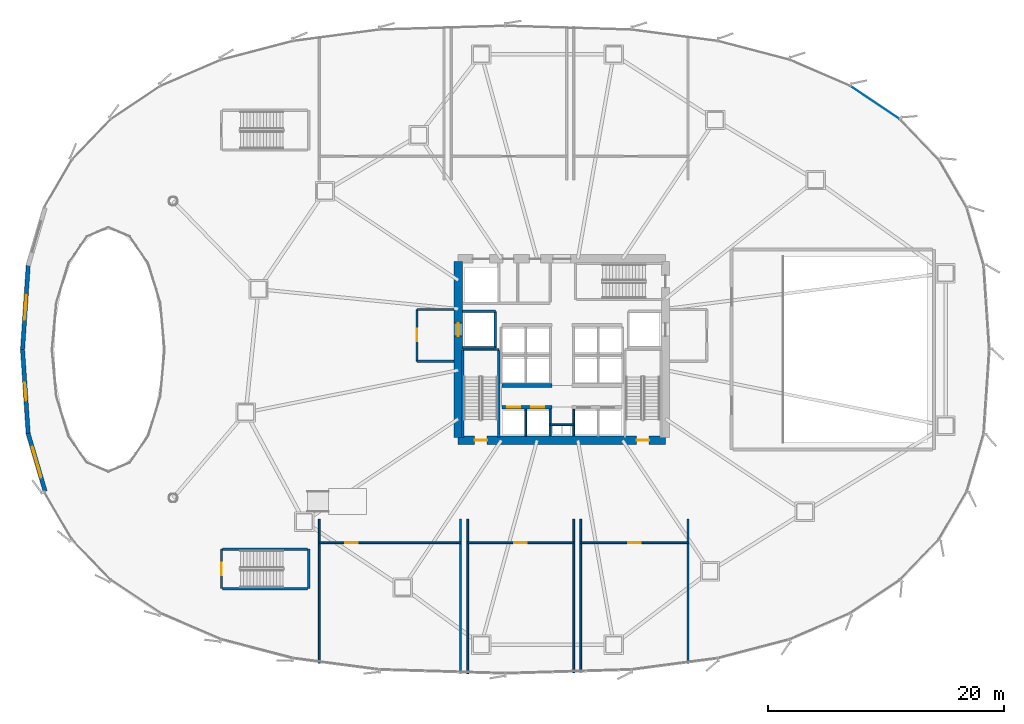
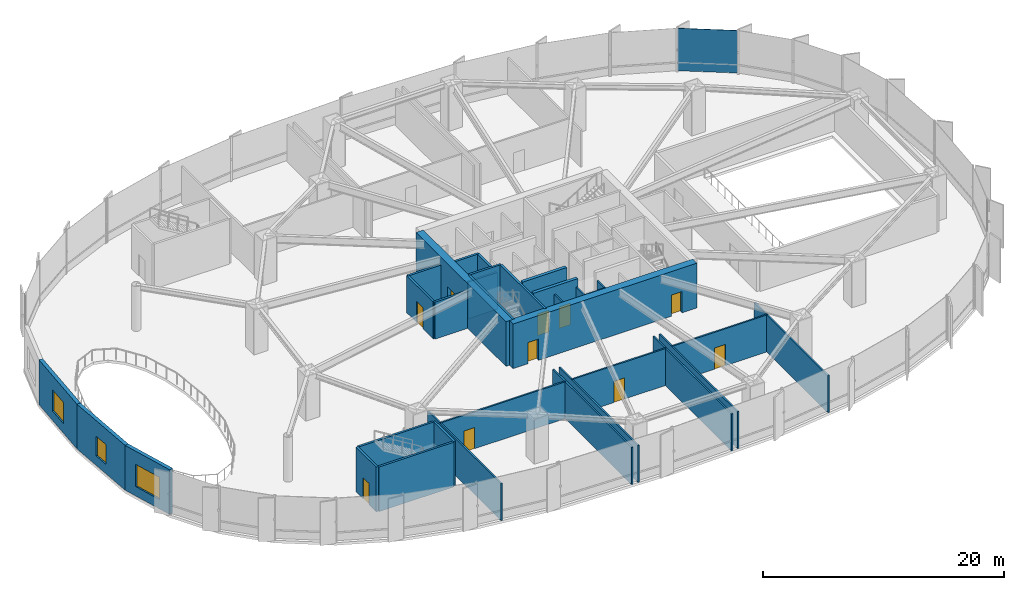
# One storey, part 24 of 34: 33 walls, 10 doors, 3 windows, 1 plate, 13 openings, 1 element without a shape of its own.
"""IFC4 building model written with IfcOpenShell, lengths in metres."""

from ifc_helpers import new_model, si_unit, direction, frame, frame_2d, origin, origin_2d, place, context, subcontext, project, spatial, rectangle, extrude, source, transform, mapped, material, layer, layer_set, type_object, element, fill, aggregate, save


model = new_model("IFC4")

# Units and contexts
model_context = context("Model", 3, precision=1e-05, world=origin(), true_north=direction((0.0, 1.0)))
body_context = subcontext(model_context, "Body", "Model", "MODEL_VIEW")
ifc_project = project(units=[si_unit("LENGTHUNIT", "METRE"), si_unit("AREAUNIT", "SQUARE_METRE"), si_unit("VOLUMEUNIT", "CUBIC_METRE"), si_unit("PLANEANGLEUNIT", "RADIAN"), si_unit("MASSUNIT", "GRAM", prefix="KILO"), si_unit("THERMODYNAMICTEMPERATUREUNIT", "KELVIN")], contexts=[model_context])

# Site, building, storey
site_placement = place(None, origin())
site = spatial("IfcSite", under=ifc_project, at=site_placement, CompositionType="ELEMENT")
building_placement = place(site_placement, origin())
building = spatial("IfcBuilding", under=site, at=building_placement, Name="Kethvar Cultural Tower", CompositionType="ELEMENT")
storey_placement = place(building_placement, frame((0.0, 0.0, 14.800048828125)))
storey = spatial("IfcBuildingStorey", under=building, at=storey_placement, Name="L03", CompositionType="ELEMENT", Elevation=14.800048828125)

# Curtain wall, plate
ifc_material_1 = material(Name="Aluminium 6063-T6", Category="aluminium")
ifc_layer_1 = layer(ifc_material_1, 0.179931640625, Name="Aluminium 6063-T6", Category="aluminium")
ifc_layer_set_1 = layer_set([ifc_layer_1], Name="Aluminium 6063-T6 (180 mm)")
curtain_wall_type = type_object("IfcCurtainWallType", Name="CW-SYS-01-POD", PredefinedType="NOTDEFINED", material=ifc_layer_set_1)
curtain_wall_placement = place(storey_placement, origin())
curtain_wall = element("IfcCurtainWall", 1, at=curtain_wall_placement, inside=storey, type_object=curtain_wall_type, Name="L03 Curtain Wall Run 01", PredefinedType="NOTDEFINED")
ifc_material_2 = material(Name="Insulated Low-E Solar Glass", Category="glass")
ifc_layer_2 = layer(ifc_material_2, 0.035888671875, Name="Insulated Low-E Solar Glass", Category="glass")
ifc_layer_set_2 = layer_set([ifc_layer_2], Name="Insulated Low-E Solar Glass (36 mm)")
plate_type = type_object("IfcPlateType", Name="CW-SYS-01-POD-PNL", PredefinedType="CURTAIN_PANEL", material=ifc_layer_set_2)
shared_shape_1 = source(origin(), body_context, "Body", "SweptSolid", [
    extrude(rectangle(XDim=4.99169921875, YDim=0.035888671875, at=origin_2d()), origin(), (0.0, 0.0, 1.0), 4.31005859375),
])
plate_placement = place(storey_placement, frame((73.372314453125, 48.7568359375, 0.10986328125), z_axis=(0.0, 0.0, 1.0), x_axis=(-0.830809662848, 0.556556649514, 0.0)))
plate = element("IfcPlate", 2, at=plate_placement, type_object=plate_type, Name="CW-L03-R01 Vision Glazing Panel 5", PredefinedType="CURTAIN_PANEL", context=body_context, shape_type="MappedRepresentation", body=[
    mapped(shared_shape_1, transform((0.0, 0.0, 0.0), scale=1.0)),
])
aggregate(curtain_wall, [plate])

# Wall, openings, doors
ifc_material_3 = material(Name="Concrete C60/75", Category="concrete")
ifc_layer_3 = layer(ifc_material_3, 0.699951171875, Name="Concrete C60/75", Category="concrete")
ifc_layer_set_3 = layer_set([ifc_layer_3], Name="Concrete C60/75 (700 mm)")
wall_type_1 = type_object("IfcWallType", Name="WL-CORE-700", PredefinedType="SHEAR", material=ifc_layer_set_3)
wall_1_placement = place(storey_placement, frame((38.0, 20.10009765625, 0.0), z_axis=(0.0, 0.0, 1.0), x_axis=(1.0, 0.0, 0.0)))
wall_1 = element("IfcWall", 3, at=wall_1_placement, inside=storey, type_object=wall_type_1, Name="L03 Core Shear Wall S", PredefinedType="SHEAR", context=body_context, shape_type="SweptSolid", body=[
    extrude(rectangle(XDim=17.60009765625, YDim=0.699951171875, at=frame_2d((8.800048828125, 0.0))), origin(), (0.0, 0.0, 1.0), 4.530029296875),
])
opening_1_placement = place(wall_1_placement, frame((1.39990234375, 0.0, 0.0)))
opening_1 = element("IfcOpeningElement", 4, at=opening_1_placement, cuts=wall_1, Name="Opening D-L03-S1", PredefinedType="OPENING", context=body_context, shape_type="SweptSolid", body=[
    extrude(rectangle(XDim=1.050048828125, YDim=2.14990234375, at=frame_2d((0.52490234375, 1.074951171875))), frame((0.0, 0.35986328125, 0.0), z_axis=(0.0, -1.0, 0.0), x_axis=(1.0, 0.0, 0.0)), (0.0, 0.0, 1.0), 0.719970703125),
])
opening_2_placement = place(wall_1_placement, frame((15.14990234375, 0.0, 0.0)))
opening_2 = element("IfcOpeningElement", 5, at=opening_2_placement, cuts=wall_1, Name="Opening D-L03-ST2", PredefinedType="OPENING", context=body_context, shape_type="SweptSolid", body=[
    extrude(rectangle(XDim=1.050048828125, YDim=2.14990234375, at=frame_2d((0.52490234375, 1.074951171875))), frame((0.0, 0.35986328125, 0.0), z_axis=(0.0, -1.0, 0.0), x_axis=(1.0, 0.0, 0.0)), (0.0, 0.0, 1.0), 0.719970703125),
])
ifc_material_4 = material(Name="Steel S355J2", Category="steel")
door_type_1 = type_object("IfcDoorType", Name="DR-FD60-1050", OperationType="NOTDEFINED", PredefinedType="DOOR", material=ifc_material_4)
shared_shape_2 = source(origin(), body_context, "Body", "SweptSolid", [
    extrude(rectangle(XDim=1.050048828125, YDim=2.14990234375, at=frame_2d((0.52490234375, 1.074951171875))), frame((0.0, 0.02490234375, 0.0), z_axis=(0.0, -1.0, 0.0), x_axis=(1.0, 0.0, 0.0)), (0.0, 0.0, 1.0), 0.050048828125),
])
door_1_placement = place(opening_1_placement, origin())
door_1 = element("IfcDoor", 6, at=door_1_placement, inside=storey, type_object=door_type_1, Name="L03 Exit Stair 1 Door", OperationType="SINGLE_SWING_LEFT", OverallHeight=2.14990234375, OverallWidth=1.050048828125, PredefinedType="DOOR", context=body_context, shape_type="MappedRepresentation", body=[
    mapped(shared_shape_2, transform((0.0, 0.0, 0.0), scale=1.0)),
])
fill(opening_1, door_1)
door_2_placement = place(opening_2_placement, origin())
door_2 = element("IfcDoor", 7, at=door_2_placement, inside=storey, type_object=door_type_1, Name="L03 Exit Stair 2 Door", OperationType="SINGLE_SWING_RIGHT", OverallHeight=2.14990234375, OverallWidth=1.050048828125, PredefinedType="DOOR", context=body_context, shape_type="MappedRepresentation", body=[
    mapped(shared_shape_2, transform((0.0, 0.0, 0.0), scale=1.0)),
])
fill(opening_2, door_2)

# Wall, opening, door
wall_2_placement = place(storey_placement, frame((38.0, 35.260009765625, 0.0), z_axis=(0.0, 0.0, 1.0), x_axis=(0.0, -1.0, 0.0)))
wall_2 = element("IfcWall", 8, at=wall_2_placement, inside=storey, type_object=wall_type_1, Name="L03 Core Shear Wall W", PredefinedType="SHEAR", context=body_context, shape_type="SweptSolid", body=[
    extrude(rectangle(XDim=14.919921875, YDim=0.699951171875, at=frame_2d((7.4599609375, 0.0))), origin(), (0.0, 0.0, 1.0), 4.530029296875),
])
opening_3_placement = place(wall_2_placement, frame((5.2099609375, 0.0, 0.0)))
opening_3 = element("IfcOpeningElement", 9, at=opening_3_placement, cuts=wall_2, Name="Opening LD-1", PredefinedType="OPENING", context=body_context, shape_type="SweptSolid", body=[
    extrude(rectangle(XDim=1.10009765625, YDim=2.199951171875, at=frame_2d((0.550048828125, 1.10009765625))), frame((0.0, 0.35986328125, 0.0), z_axis=(0.0, -1.0, 0.0), x_axis=(1.0, 0.0, 0.0)), (0.0, 0.0, 1.0), 0.719970703125),
])
door_type_2 = type_object("IfcDoorType", Name="DR-LIFT-SLIDE-1100", OperationType="NOTDEFINED", PredefinedType="DOOR", material=ifc_material_4)
shared_shape_3 = source(origin(), body_context, "Body", "SweptSolid", [
    extrude(rectangle(XDim=1.10009765625, YDim=2.199951171875, at=frame_2d((0.550048828125, 1.10009765625))), frame((0.0, 0.02490234375, 0.0), z_axis=(0.0, -1.0, 0.0), x_axis=(1.0, 0.0, 0.0)), (0.0, 0.0, 1.0), 0.050048828125),
])
door_3_placement = place(opening_3_placement, origin())
door_3 = element("IfcDoor", 10, at=door_3_placement, inside=storey, type_object=door_type_2, Name="L03 Firefighting Lift Landing Door FFL-01", OperationType="SLIDING_TO_LEFT", OverallHeight=2.199951171875, OverallWidth=1.10009765625, PredefinedType="DOOR", context=body_context, shape_type="MappedRepresentation", body=[
    mapped(shared_shape_3, transform((0.0, 0.0, 0.0), scale=1.0)),
])
fill(opening_3, door_3)

# Wall, opening, window
ifc_material_5 = material(Name="Concrete C40/50", Category="concrete")
ifc_layer_4 = layer(ifc_material_5, 0.35009765625, Name="Concrete C40/50", Category="concrete")
ifc_layer_set_4 = layer_set([ifc_layer_4], Name="Concrete C40/50 (350 mm)")
wall_type_2 = type_object("IfcWallType", Name="WL-EXT-PORTAL-350", PredefinedType="SOLIDWALL", material=ifc_layer_set_4)
wall_3_placement = place(storey_placement, frame((1.01953125, 27.785400390625, 0.0), z_axis=(0.0, 0.0, 1.0), x_axis=(0.067018998283, 0.997751699507, 0.0)))
wall_3 = element("IfcWall", 11, at=wall_3_placement, inside=storey, type_object=wall_type_2, Name="L03 Exterior Portal Wall 18", PredefinedType="SOLIDWALL", context=body_context, shape_type="SweptSolid", body=[
    extrude(rectangle(XDim=7.194580078125, YDim=0.35009765625, at=frame_2d((3.59716796875, 0.0))), origin(), (0.0, 0.0, 1.0), 4.530029296875),
])
opening_4_placement = place(wall_3_placement, frame((2.54736328125, 0.0, 0.949951171875)))
opening_4 = element("IfcOpeningElement", 12, at=opening_4_placement, cuts=wall_3, Name="Opening W-02", PredefinedType="OPENING", context=body_context, shape_type="SweptSolid", body=[
    extrude(rectangle(XDim=2.10009765625, YDim=2.14990234375, at=frame_2d((1.050048828125, 1.074951171875))), frame((0.0, 0.18505859375, 0.0), z_axis=(0.0, -1.0, 0.0), x_axis=(1.0, 0.0, 0.0)), (0.0, 0.0, 1.0), 0.3701171875),
])
window_type_1 = type_object("IfcWindowType", Name="WN-POD-2100", PartitioningType="SINGLE_PANEL", PredefinedType="WINDOW", material=ifc_material_2)
shared_shape_4 = source(origin(), body_context, "Body", "SweptSolid", [
    extrude(rectangle(XDim=2.10009765625, YDim=2.14990234375, at=frame_2d((1.050048828125, 1.074951171875))), frame((0.0, 0.030029296875, 0.0), z_axis=(0.0, -1.0, 0.0), x_axis=(1.0, 0.0, 0.0)), (0.0, 0.0, 1.0), 0.06005859375),
])
window_1_placement = place(opening_4_placement, origin())
window_1 = element("IfcWindow", 13, at=window_1_placement, inside=storey, type_object=window_type_1, Name="L03 Podium Window C17", OverallHeight=2.14990234375, OverallWidth=2.10009765625, PartitioningType="SINGLE_PANEL", PredefinedType="WINDOW", context=body_context, shape_type="MappedRepresentation", body=[
    mapped(shared_shape_4, transform((0.0, 0.0, 0.0), scale=1.0)),
])
fill(opening_4, window_1)

wall_4_placement = place(storey_placement, frame((1.501708984375, 20.635986328125, 0.0), z_axis=(0.0, 0.0, 1.0), x_axis=(-0.067016729273, 0.997751851914, 0.0)))
wall_4 = element("IfcWall", 14, at=wall_4_placement, inside=storey, type_object=wall_type_2, Name="L03 Exterior Portal Wall 19", PredefinedType="SOLIDWALL", context=body_context, shape_type="SweptSolid", body=[
    extrude(rectangle(XDim=7.19482421875, YDim=0.35009765625, at=frame_2d((3.597412109375, 0.0))), origin(), (0.0, 0.0, 1.0), 4.530029296875),
])
opening_5_placement = place(wall_4_placement, frame((2.847412109375, 0.0, 0.949951171875)))
opening_5 = element("IfcOpeningElement", 15, at=opening_5_placement, cuts=wall_4, Name="Opening W-03", PredefinedType="OPENING", context=body_context, shape_type="SweptSolid", body=[
    extrude(rectangle(XDim=1.5, YDim=2.0, at=frame_2d((0.75, 1.0))), frame((0.0, 0.18505859375, 0.0), z_axis=(0.0, -1.0, 0.0), x_axis=(1.0, 0.0, 0.0)), (0.0, 0.0, 1.0), 0.3701171875),
])
window_type_2 = type_object("IfcWindowType", Name="WN-POD-1500", PartitioningType="SINGLE_PANEL", PredefinedType="WINDOW", material=ifc_material_2)
shared_shape_5 = source(origin(), body_context, "Body", "SweptSolid", [
    extrude(rectangle(XDim=1.5, YDim=2.0, at=frame_2d((0.75, 1.0))), frame((0.0, 0.030029296875, 0.0), z_axis=(0.0, -1.0, 0.0), x_axis=(1.0, 0.0, 0.0)), (0.0, 0.0, 1.0), 0.06005859375),
])
window_2_placement = place(opening_5_placement, origin())
window_2 = element("IfcWindow", 16, at=window_2_placement, inside=storey, type_object=window_type_2, Name="L03 Podium Window C18", OverallHeight=2.0, OverallWidth=1.5, PartitioningType="SINGLE_PANEL", PredefinedType="WINDOW", context=body_context, shape_type="MappedRepresentation", body=[
    mapped(shared_shape_5, transform((0.0, 0.0, 0.0), scale=1.0)),
])
fill(opening_5, window_2)

wall_5_placement = place(storey_placement, frame((2.93603515625, 15.770263671875, 0.0), z_axis=(0.0, 0.0, 1.0), x_axis=(-0.281735210535, 0.959492194416, 0.0)))
wall_5 = element("IfcWall", 17, at=wall_5_placement, inside=storey, type_object=wall_type_2, Name="L03 Exterior Portal Wall 20", PredefinedType="SOLIDWALL", context=body_context, shape_type="SweptSolid", body=[
    extrude(rectangle(XDim=5.12060546875, YDim=0.35009765625, at=frame_2d((2.560302734375, 0.0))), origin(), (0.0, 0.0, 1.0), 4.530029296875),
])
opening_6_placement = place(wall_5_placement, frame((1.210205078125, 0.0, 0.949951171875)))
opening_6 = element("IfcOpeningElement", 18, at=opening_6_placement, cuts=wall_5, Name="Opening W-01", PredefinedType="OPENING", context=body_context, shape_type="SweptSolid", body=[
    extrude(rectangle(XDim=2.699951171875, YDim=2.25, at=frame_2d((1.35009765625, 1.125))), frame((0.0, 0.18505859375, 0.0), z_axis=(0.0, -1.0, 0.0), x_axis=(1.0, 0.0, 0.0)), (0.0, 0.0, 1.0), 0.3701171875),
])
window_type_3 = type_object("IfcWindowType", Name="WN-POD-2700", PartitioningType="SINGLE_PANEL", PredefinedType="WINDOW", material=ifc_material_2)
shared_shape_6 = source(origin(), body_context, "Body", "SweptSolid", [
    extrude(rectangle(XDim=2.699951171875, YDim=2.25, at=frame_2d((1.35009765625, 1.125))), frame((0.0, 0.030029296875, 0.0), z_axis=(0.0, -1.0, 0.0), x_axis=(1.0, 0.0, 0.0)), (0.0, 0.0, 1.0), 0.06005859375),
])
window_3_placement = place(opening_6_placement, origin())
window_3 = element("IfcWindow", 19, at=window_3_placement, inside=storey, type_object=window_type_3, Name="L03 Podium Window C19", OverallHeight=2.25, OverallWidth=2.699951171875, PartitioningType="SINGLE_PANEL", PredefinedType="WINDOW", context=body_context, shape_type="MappedRepresentation", body=[
    mapped(shared_shape_6, transform((0.0, 0.0, 0.0), scale=1.0)),
])
fill(opening_6, window_3)

# Walls
ifc_material_6 = material(Name="Gypsum Fireboard Partition")
ifc_layer_5 = layer(ifc_material_6, 0.14990234375, Name="Gypsum Fireboard Partition")
ifc_layer_set_5 = layer_set([ifc_layer_5], Name="Gypsum Fireboard Partition (150 mm)")
wall_type_3 = type_object("IfcWallType", Name="WL-FIRE-150", PredefinedType="PARTITIONING", material=ifc_layer_set_5)
wall_6_placement = place(storey_placement, frame((45.800048828125, 21.419921875, 0.0), z_axis=(0.0, 0.0, 1.0), x_axis=(1.0, 0.0, 0.0)))
element("IfcWall", 20, at=wall_6_placement, inside=storey, type_object=wall_type_3, Name="L03 Core Riser Wall", PredefinedType="PARTITIONING", context=body_context, shape_type="SweptSolid", body=[
    extrude(rectangle(XDim=2.0, YDim=0.14990234375, at=frame_2d((1.0, 0.0))), origin(), (0.0, 0.0, 1.0), 3.742919921875),
])
for number, where, z_axis, x_axis, name in (
    (21, (45.800048828125, 20.47998046875, 0.0), (0.0, 0.0, 1.0), (0.0, 1.0, 0.0), "L03 Core Riser West Wall"),
    (22, (47.800048828125, 20.47998046875, 0.0), (0.0, 0.0, 1.0), (0.0, 1.0, 0.0), "L03 Core Riser East Wall"),
):
    element("IfcWall", number, at=place(storey_placement, frame(where, z_axis=z_axis, x_axis=x_axis)), inside=storey, type_object=wall_type_3, Name=name, PredefinedType="PARTITIONING", context=body_context, shape_type="SweptSolid", body=[
        extrude(rectangle(XDim=2.239990234375, YDim=0.14990234375, at=frame_2d((1.1201171875, 0.0))), origin(), (0.0, 0.0, 1.0), 3.742919921875),
    ])
wall_7_placement = place(storey_placement, frame((43.72509765625, 20.4599609375, 0.0), z_axis=(0.0, 0.0, 1.0), x_axis=(0.0, 1.0, 0.0)))
element("IfcWall", 23, at=wall_7_placement, inside=storey, type_object=wall_type_3, Name="L03 Low-Rise Lift Shaft Divider W", PredefinedType="PARTITIONING", context=body_context, shape_type="SweptSolid", body=[
    extrude(rectangle(XDim=2.27001953125, YDim=0.14990234375, at=frame_2d((1.135009765625, 0.0))), origin(), (0.0, 0.0, 1.0), 3.742919921875),
])

# Wall, opening, door
wall_8_placement = place(storey_placement, frame((26.199951171875, 11.39990234375, 0.0), z_axis=(0.0, 0.0, 1.0), x_axis=(1.0, 0.0, 0.0)))
wall_8 = element("IfcWall", 24, at=wall_8_placement, inside=storey, type_object=wall_type_3, Name="L03 Prints Study Reading Hall Wall", PredefinedType="PARTITIONING", context=body_context, shape_type="SweptSolid", body=[
    extrude(rectangle(XDim=12.0, YDim=0.14990234375, at=frame_2d((6.0, 0.0))), origin(), (0.0, 0.0, 1.0), 3.742919921875),
])
opening_7_placement = place(wall_8_placement, frame((2.199951171875, 0.0, 0.0)))
opening_7 = element("IfcOpeningElement", 25, at=opening_7_placement, cuts=wall_8, Name="Opening D-L03-P1", PredefinedType="OPENING", context=body_context, shape_type="SweptSolid", body=[
    extrude(rectangle(XDim=1.050048828125, YDim=2.14990234375, at=frame_2d((0.52490234375, 1.074951171875))), frame((0.0, 0.0849609375, 0.0), z_axis=(0.0, -1.0, 0.0), x_axis=(1.0, 0.0, 0.0)), (0.0, 0.0, 1.0), 0.169921875),
])
door_4_placement = place(opening_7_placement, origin())
door_4 = element("IfcDoor", 26, at=door_4_placement, inside=storey, type_object=door_type_1, Name="L03 Prints Study Reading Hall Door", OperationType="SINGLE_SWING_LEFT", OverallHeight=2.14990234375, OverallWidth=1.050048828125, PredefinedType="DOOR", context=body_context, shape_type="MappedRepresentation", body=[
    mapped(shared_shape_2, transform((0.0, 0.0, 0.0), scale=1.0)),
])
fill(opening_7, door_4)

wall_9_placement = place(storey_placement, frame((38.800048828125, 11.39990234375, 0.0), z_axis=(0.0, 0.0, 1.0), x_axis=(1.0, 0.0, 0.0)))
wall_9 = element("IfcWall", 27, at=wall_9_placement, inside=storey, type_object=wall_type_3, Name="L03 Conservation Laboratory Wall", PredefinedType="PARTITIONING", context=body_context, shape_type="SweptSolid", body=[
    extrude(rectangle(XDim=9.0, YDim=0.14990234375, at=frame_2d((4.5, 0.0))), origin(), (0.0, 0.0, 1.0), 3.742919921875),
])
opening_8_placement = place(wall_9_placement, frame((3.97509765625, 0.0, 0.0)))
opening_8 = element("IfcOpeningElement", 28, at=opening_8_placement, cuts=wall_9, Name="Opening D-L03-P2", PredefinedType="OPENING", context=body_context, shape_type="SweptSolid", body=[
    extrude(rectangle(XDim=1.050048828125, YDim=2.14990234375, at=frame_2d((0.52490234375, 1.074951171875))), frame((0.0, 0.0849609375, 0.0), z_axis=(0.0, -1.0, 0.0), x_axis=(1.0, 0.0, 0.0)), (0.0, 0.0, 1.0), 0.169921875),
])
door_5_placement = place(opening_8_placement, origin())
door_5 = element("IfcDoor", 29, at=door_5_placement, inside=storey, type_object=door_type_1, Name="L03 Conservation Laboratory Door", OperationType="SINGLE_SWING_LEFT", OverallHeight=2.14990234375, OverallWidth=1.050048828125, PredefinedType="DOOR", context=body_context, shape_type="MappedRepresentation", body=[
    mapped(shared_shape_2, transform((0.0, 0.0, 0.0), scale=1.0)),
])
fill(opening_8, door_5)

wall_10_placement = place(storey_placement, frame((48.39990234375, 11.39990234375, 0.0), z_axis=(0.0, 0.0, 1.0), x_axis=(1.0, 0.0, 0.0)))
wall_10 = element("IfcWall", 30, at=wall_10_placement, inside=storey, type_object=wall_type_3, Name="L03 Docent Briefing Office Wall", PredefinedType="PARTITIONING", context=body_context, shape_type="SweptSolid", body=[
    extrude(rectangle(XDim=9.10009765625, YDim=0.14990234375, at=frame_2d((4.550048828125, 0.0))), origin(), (0.0, 0.0, 1.0), 3.742919921875),
])
opening_9_placement = place(wall_10_placement, frame((4.02490234375, 0.0, 0.0)))
opening_9 = element("IfcOpeningElement", 31, at=opening_9_placement, cuts=wall_10, Name="Opening D-L03-P3", PredefinedType="OPENING", context=body_context, shape_type="SweptSolid", body=[
    extrude(rectangle(XDim=1.050048828125, YDim=2.14990234375, at=frame_2d((0.52490234375, 1.074951171875))), frame((0.0, 0.0849609375, 0.0), z_axis=(0.0, -1.0, 0.0), x_axis=(1.0, 0.0, 0.0)), (0.0, 0.0, 1.0), 0.169921875),
])
door_6_placement = place(opening_9_placement, origin())
door_6 = element("IfcDoor", 32, at=door_6_placement, inside=storey, type_object=door_type_1, Name="L03 Docent Briefing Office Door", OperationType="SINGLE_SWING_LEFT", OverallHeight=2.14990234375, OverallWidth=1.050048828125, PredefinedType="DOOR", context=body_context, shape_type="MappedRepresentation", body=[
    mapped(shared_shape_2, transform((0.0, 0.0, 0.0), scale=1.0)),
])
fill(opening_9, door_6)

# Walls
ifc_layer_6 = layer(ifc_material_5, 0.199951171875, Name="Concrete C40/50", Category="concrete")
ifc_layer_set_6 = layer_set([ifc_layer_6], Name="Concrete C40/50 (200 mm)")
wall_type_4 = type_object("IfcWallType", Name="WL-FIRE-200", PredefinedType="PARTITIONING", material=ifc_layer_set_6)
wall_11_placement = place(storey_placement, frame((41.14990234375, 27.949951171875, 0.0), z_axis=(0.0, 0.0, 1.0), x_axis=(0.0, 1.0, 0.0)))
element("IfcWall", 33, at=wall_11_placement, inside=storey, type_object=wall_type_4, Name="L03 FFL-01 Shaft Inner Wall", PredefinedType="PARTITIONING", context=body_context, shape_type="SweptSolid", body=[
    extrude(rectangle(XDim=3.10009765625, YDim=0.199951171875, at=frame_2d((1.550048828125, 0.0))), origin(), (0.0, 0.0, 1.0), 3.742919921875),
])
for number, where, z_axis, x_axis, name in (
    (34, (38.360107421875, 27.949951171875, 0.0), (0.0, 0.0, 1.0), (1.0, 0.0, 0.0), "L03 FFL-01 Shaft South Wall"),
    (35, (38.360107421875, 31.050048828125, 0.0), (0.0, 0.0, 1.0), (1.0, 0.0, 0.0), "L03 FFL-01 Shaft North Wall"),
):
    element("IfcWall", number, at=place(storey_placement, frame(where, z_axis=z_axis, x_axis=x_axis)), inside=storey, type_object=wall_type_4, Name=name, PredefinedType="PARTITIONING", context=body_context, shape_type="SweptSolid", body=[
        extrude(rectangle(XDim=2.789794921875, YDim=0.199951171875, at=frame_2d((1.39501953125, 0.0))), origin(), (0.0, 0.0, 1.0), 3.742919921875),
    ])

# Wall, opening, door
wall_12_placement = place(storey_placement, frame((34.5, 31.199951171875, 0.0), z_axis=(0.0, 0.0, 1.0), x_axis=(0.0, -1.0, 0.0)))
wall_12 = element("IfcWall", 36, at=wall_12_placement, inside=storey, type_object=wall_type_4, Name="L03 Firefighting Lobby 1 Wall", PredefinedType="PARTITIONING", context=body_context, shape_type="SweptSolid", body=[
    extrude(rectangle(XDim=4.39990234375, YDim=0.199951171875, at=frame_2d((2.199951171875, 0.0))), origin(), (0.0, 0.0, 1.0), 3.742919921875),
])
opening_10_placement = place(wall_12_placement, frame((1.64990234375, 0.0, 0.0)))
opening_10 = element("IfcOpeningElement", 37, at=opening_10_placement, cuts=wall_12, Name="Opening D-L03-F1", PredefinedType="OPENING", context=body_context, shape_type="SweptSolid", body=[
    extrude(rectangle(XDim=1.050048828125, YDim=2.14990234375, at=frame_2d((0.52490234375, 1.074951171875))), frame((0.0, 0.10986328125, 0.0), z_axis=(0.0, -1.0, 0.0), x_axis=(1.0, 0.0, 0.0)), (0.0, 0.0, 1.0), 0.219970703125),
])
door_7_placement = place(opening_10_placement, origin())
door_7 = element("IfcDoor", 38, at=door_7_placement, inside=storey, type_object=door_type_1, Name="L03 Firefighting Lobby 1 Fire Door", OperationType="SINGLE_SWING_LEFT", OverallHeight=2.14990234375, OverallWidth=1.050048828125, PredefinedType="DOOR", context=body_context, shape_type="MappedRepresentation", body=[
    mapped(shared_shape_2, transform((0.0, 0.0, 0.0), scale=1.0)),
])
fill(opening_10, door_7)

# Walls
for number, where, z_axis, x_axis, name in (
    (39, (34.5, 26.800048828125, 0.0), (0.0, 0.0, 1.0), (1.0, 0.0, 0.0), "L03 FF Lobby 1 South Wall"),
    (40, (34.5, 31.199951171875, 0.0), (0.0, 0.0, 1.0), (1.0, 0.0, 0.0), "L03 FF Lobby 1 North Wall"),
):
    element("IfcWall", number, at=place(storey_placement, frame(where, z_axis=z_axis, x_axis=x_axis)), inside=storey, type_object=wall_type_4, Name=name, PredefinedType="PARTITIONING", context=body_context, shape_type="SweptSolid", body=[
        extrude(rectangle(XDim=3.139892578125, YDim=0.199951171875, at=frame_2d((1.56982421875, 0.0))), origin(), (0.0, 0.0, 1.0), 3.742919921875),
    ])
ifc_material_7 = material(Name="Gypsum Acoustic Partition")
ifc_layer_7 = layer(ifc_material_7, 0.14990234375, Name="Gypsum Acoustic Partition")
ifc_layer_set_7 = layer_set([ifc_layer_7], Name="Gypsum Acoustic Partition (150 mm)")
wall_type_5 = type_object("IfcWallType", Name="WL-PART-150", PredefinedType="PARTITIONING", material=ifc_layer_set_7)
wall_13_placement = place(storey_placement, frame((26.199951171875, 1.193115234375, 0.0), z_axis=(0.0, 0.0, 1.0), x_axis=(0.0, 1.0, 0.0)))
element("IfcWall", 41, at=wall_13_placement, inside=storey, type_object=wall_type_5, Name="L03 Prints Study Reading Hall Side Wall L", PredefinedType="PARTITIONING", context=body_context, shape_type="SweptSolid", body=[
    extrude(rectangle(XDim=12.206787109375, YDim=0.14990234375, at=frame_2d((6.103515625, 0.0))), origin(), (0.0, 0.0, 1.0), 3.742919921875),
])
wall_14_placement = place(storey_placement, frame((38.199951171875, 0.314697265625, 0.0), z_axis=(0.0, 0.0, 1.0), x_axis=(0.0, 1.0, 0.0)))
element("IfcWall", 42, at=wall_14_placement, inside=storey, type_object=wall_type_5, Name="L03 Prints Study Reading Hall Side Wall R", PredefinedType="PARTITIONING", context=body_context, shape_type="SweptSolid", body=[
    extrude(rectangle(XDim=13.085205078125, YDim=0.14990234375, at=frame_2d((6.54248046875, 0.0))), origin(), (0.0, 0.0, 1.0), 3.742919921875),
])
wall_15_placement = place(storey_placement, frame((38.800048828125, 0.29638671875, 0.0), z_axis=(0.0, 0.0, 1.0), x_axis=(0.0, 1.0, 0.0)))
element("IfcWall", 43, at=wall_15_placement, inside=storey, type_object=wall_type_5, Name="L03 Conservation Laboratory Side Wall L", PredefinedType="PARTITIONING", context=body_context, shape_type="SweptSolid", body=[
    extrude(rectangle(XDim=13.103515625, YDim=0.14990234375, at=frame_2d((6.5517578125, 0.0))), origin(), (0.0, 0.0, 1.0), 3.742919921875),
])
wall_16_placement = place(storey_placement, frame((47.800048828125, 0.375, 0.0), z_axis=(0.0, 0.0, 1.0), x_axis=(0.0, 1.0, 0.0)))
element("IfcWall", 44, at=wall_16_placement, inside=storey, type_object=wall_type_5, Name="L03 Conservation Laboratory Side Wall R", PredefinedType="PARTITIONING", context=body_context, shape_type="SweptSolid", body=[
    extrude(rectangle(XDim=13.02490234375, YDim=0.14990234375, at=frame_2d((6.512451171875, 0.0))), origin(), (0.0, 0.0, 1.0), 3.742919921875),
])
wall_17_placement = place(storey_placement, frame((48.39990234375, 0.39306640625, 0.0), z_axis=(0.0, 0.0, 1.0), x_axis=(0.0, 1.0, 0.0)))
element("IfcWall", 45, at=wall_17_placement, inside=storey, type_object=wall_type_5, Name="L03 Docent Briefing Office Side Wall L", PredefinedType="PARTITIONING", context=body_context, shape_type="SweptSolid", body=[
    extrude(rectangle(XDim=13.0068359375, YDim=0.14990234375, at=frame_2d((6.50341796875, 0.0))), origin(), (0.0, 0.0, 1.0), 3.742919921875),
])
wall_18_placement = place(storey_placement, frame((57.5, 1.153564453125, 0.0), z_axis=(0.0, 0.0, 1.0), x_axis=(0.0, 1.0, 0.0)))
element("IfcWall", 46, at=wall_18_placement, inside=storey, type_object=wall_type_5, Name="L03 Docent Briefing Office Side Wall R", PredefinedType="PARTITIONING", context=body_context, shape_type="SweptSolid", body=[
    extrude(rectangle(XDim=12.246337890625, YDim=0.14990234375, at=frame_2d((6.123046875, 0.0))), origin(), (0.0, 0.0, 1.0), 3.742919921875),
])

# Wall, openings, doors
ifc_material_8 = material(Name="Concrete C50/60", Category="concrete")
ifc_layer_8 = layer(ifc_material_8, 0.300048828125, Name="Concrete C50/60", Category="concrete")
ifc_layer_set_8 = layer_set([ifc_layer_8], Name="Concrete C50/60 (300 mm)")
wall_type_6 = type_object("IfcWallType", Name="WL-SHAFT-300", PredefinedType="SHEAR", material=ifc_layer_set_8)
wall_19_placement = place(storey_placement, frame((41.699951171875, 22.89990234375, 0.0), z_axis=(0.0, 0.0, 1.0), x_axis=(1.0, 0.0, 0.0)))
wall_19 = element("IfcWall", 47, at=wall_19_placement, inside=storey, type_object=wall_type_6, Name="L03 Core Lift Spine Wall MID1W", PredefinedType="SHEAR", context=body_context, shape_type="SweptSolid", body=[
    extrude(rectangle(XDim=4.25, YDim=0.300048828125, at=frame_2d((2.125, 0.0))), origin(), (0.0, 0.0, 1.0), 4.530029296875),
])
opening_11_placement = place(wall_19_placement, frame((0.449951171875, 0.0, 0.0)))
opening_11 = element("IfcOpeningElement", 48, at=opening_11_placement, cuts=wall_19, Name="Opening LD-L1", PredefinedType="OPENING", context=body_context, shape_type="SweptSolid", body=[
    extrude(rectangle(XDim=1.10009765625, YDim=2.199951171875, at=frame_2d((0.550048828125, 1.10009765625))), frame((0.0, 0.159912109375, 0.0), z_axis=(0.0, -1.0, 0.0), x_axis=(1.0, 0.0, 0.0)), (0.0, 0.0, 1.0), 0.320068359375),
])
opening_12_placement = place(wall_19_placement, frame((2.5, 0.0, 0.0)))
opening_12 = element("IfcOpeningElement", 49, at=opening_12_placement, cuts=wall_19, Name="Opening LD-L2", PredefinedType="OPENING", context=body_context, shape_type="SweptSolid", body=[
    extrude(rectangle(XDim=1.10009765625, YDim=2.199951171875, at=frame_2d((0.550048828125, 1.10009765625))), frame((0.0, 0.159912109375, 0.0), z_axis=(0.0, -1.0, 0.0), x_axis=(1.0, 0.0, 0.0)), (0.0, 0.0, 1.0), 0.320068359375),
])
door_8_placement = place(opening_11_placement, origin())
door_8 = element("IfcDoor", 50, at=door_8_placement, inside=storey, type_object=door_type_2, Name="L03 Low-Rise Lift Landing Door L1", OperationType="SLIDING_TO_LEFT", OverallHeight=2.199951171875, OverallWidth=1.10009765625, PredefinedType="DOOR", context=body_context, shape_type="MappedRepresentation", body=[
    mapped(shared_shape_3, transform((0.0, 0.0, 0.0), scale=1.0)),
])
fill(opening_11, door_8)
door_9_placement = place(opening_12_placement, origin())
door_9 = element("IfcDoor", 51, at=door_9_placement, inside=storey, type_object=door_type_2, Name="L03 Low-Rise Lift Landing Door L2", OperationType="SLIDING_TO_LEFT", OverallHeight=2.199951171875, OverallWidth=1.10009765625, PredefinedType="DOOR", context=body_context, shape_type="MappedRepresentation", body=[
    mapped(shared_shape_3, transform((0.0, 0.0, 0.0), scale=1.0)),
])
fill(opening_12, door_9)

# Walls
wall_20_placement = place(storey_placement, frame((41.699951171875, 24.75, 0.0), z_axis=(0.0, 0.0, 1.0), x_axis=(1.0, 0.0, 0.0)))
element("IfcWall", 52, at=wall_20_placement, inside=storey, type_object=wall_type_6, Name="L03 Core Lift Spine Wall MID2W", PredefinedType="SHEAR", context=body_context, shape_type="SweptSolid", body=[
    extrude(rectangle(XDim=4.25, YDim=0.300048828125, at=frame_2d((2.125, 0.0))), origin(), (0.0, 0.0, 1.0), 4.530029296875),
])
ifc_layer_9 = layer(ifc_material_8, 0.199951171875, Name="Concrete C50/60", Category="concrete")
ifc_layer_set_9 = layer_set([ifc_layer_9], Name="Concrete C50/60 (200 mm)")
wall_type_7 = type_object("IfcWallType", Name="WL-STSHAFT-200", PredefinedType="SHEAR", material=ifc_layer_set_9)
wall_21_placement = place(storey_placement, frame((38.389892578125, 27.800048828125, 0.0), z_axis=(0.0, 0.0, 1.0), x_axis=(1.0, 0.0, 0.0)))
element("IfcWall", 53, at=wall_21_placement, inside=storey, type_object=wall_type_7, Name="L03 ST-01 Stair Shaft Wall FAR", PredefinedType="SHEAR", context=body_context, shape_type="SweptSolid", body=[
    extrude(rectangle(XDim=3.06005859375, YDim=0.199951171875, at=frame_2d((1.530029296875, 0.0))), origin(), (0.0, 0.0, 1.0), 4.530029296875),
])
for number, where, z_axis, x_axis, name in (
    (54, (41.449951171875, 27.699951171875, 0.0), (0.0, 0.0, 1.0), (0.0, -1.0, 0.0), "L03 ST-01 Stair Shaft Wall LEFT"),
    (55, (38.389892578125, 20.35009765625, 0.0), (0.0, 0.0, 1.0), (0.0, 1.0, 0.0), "L03 ST-01 Stair Shaft Wall RIGHT"),
):
    element("IfcWall", number, at=place(storey_placement, frame(where, z_axis=z_axis, x_axis=x_axis)), inside=storey, type_object=wall_type_7, Name=name, PredefinedType="SHEAR", context=body_context, shape_type="SweptSolid", body=[
        extrude(rectangle(XDim=7.349853515625, YDim=0.199951171875, at=frame_2d((3.6748046875, 0.0))), origin(), (0.0, 0.0, 1.0), 4.530029296875),
    ])

# Wall, opening, door
wall_22_placement = place(storey_placement, frame((17.89990234375, 7.5, 0.0), z_axis=(0.0, 0.0, 1.0), x_axis=(0.0, 1.0, 0.0)))
wall_22 = element("IfcWall", 56, at=wall_22_placement, inside=storey, type_object=wall_type_7, Name="L03 ST-04 Stair Shaft Wall NEAR", PredefinedType="SHEAR", context=body_context, shape_type="SweptSolid", body=[
    extrude(rectangle(XDim=3.360107421875, YDim=0.199951171875, at=frame_2d((1.68017578125, 0.0))), origin(), (0.0, 0.0, 1.0), 4.530029296875),
])
opening_13_placement = place(wall_22_placement, frame((1.155029296875, 0.0, 0.0)))
opening_13 = element("IfcOpeningElement", 57, at=opening_13_placement, cuts=wall_22, Name="Opening D-L03-ST4", PredefinedType="OPENING", context=body_context, shape_type="SweptSolid", body=[
    extrude(rectangle(XDim=1.050048828125, YDim=2.14990234375, at=frame_2d((0.52490234375, 1.074951171875))), frame((0.0, 0.10986328125, 0.0), z_axis=(0.0, -1.0, 0.0), x_axis=(1.0, 0.0, 0.0)), (0.0, 0.0, 1.0), 0.219970703125),
])
door_10_placement = place(opening_13_placement, origin())
door_10 = element("IfcDoor", 58, at=door_10_placement, inside=storey, type_object=door_type_1, Name="L03 ST-04 Stair Landing Fire Door", OperationType="SINGLE_SWING_LEFT", OverallHeight=2.14990234375, OverallWidth=1.050048828125, PredefinedType="DOOR", context=body_context, shape_type="MappedRepresentation", body=[
    mapped(shared_shape_2, transform((0.0, 0.0, 0.0), scale=1.0)),
])
fill(opening_13, door_10)

# Walls
wall_23_placement = place(storey_placement, frame((25.300048828125, 10.860107421875, 0.0), z_axis=(0.0, 0.0, 1.0), x_axis=(0.0, -1.0, 0.0)))
element("IfcWall", 59, at=wall_23_placement, inside=storey, type_object=wall_type_7, Name="L03 ST-04 Stair Shaft Wall FAR", PredefinedType="SHEAR", context=body_context, shape_type="SweptSolid", body=[
    extrude(rectangle(XDim=3.360107421875, YDim=0.199951171875, at=frame_2d((1.68017578125, 0.0))), origin(), (0.0, 0.0, 1.0), 4.530029296875),
])
for number, where, z_axis, x_axis, name in (
    (60, (25.199951171875, 7.5, 0.0), (0.0, 0.0, 1.0), (-1.0, 0.0, 0.0), "L03 ST-04 Stair Shaft Wall LEFT"),
    (61, (18.0, 10.860107421875, 0.0), (0.0, 0.0, 1.0), (1.0, 0.0, 0.0), "L03 ST-04 Stair Shaft Wall RIGHT"),
):
    element("IfcWall", number, at=place(storey_placement, frame(where, z_axis=z_axis, x_axis=x_axis)), inside=storey, type_object=wall_type_7, Name=name, PredefinedType="SHEAR", context=body_context, shape_type="SweptSolid", body=[
        extrude(rectangle(XDim=7.199951171875, YDim=0.199951171875, at=frame_2d((3.60009765625, 0.0))), origin(), (0.0, 0.0, 1.0), 4.530029296875),
    ])

save(model, "model.ifc")
